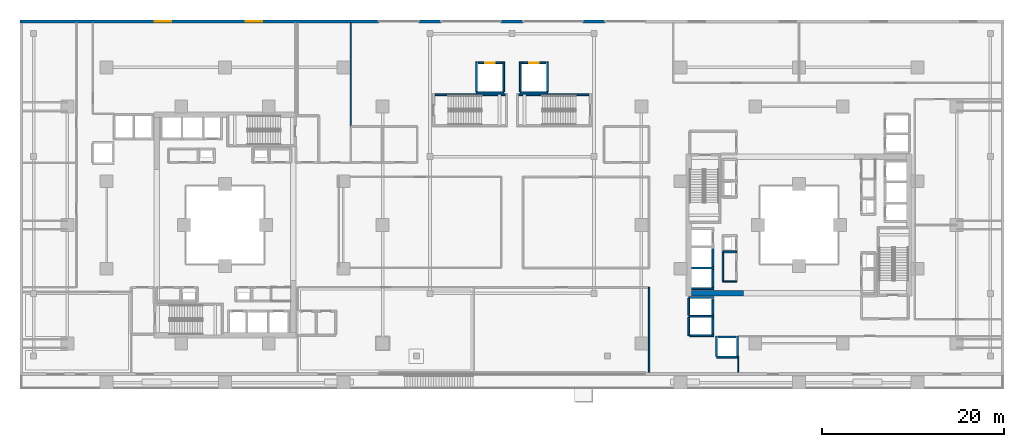
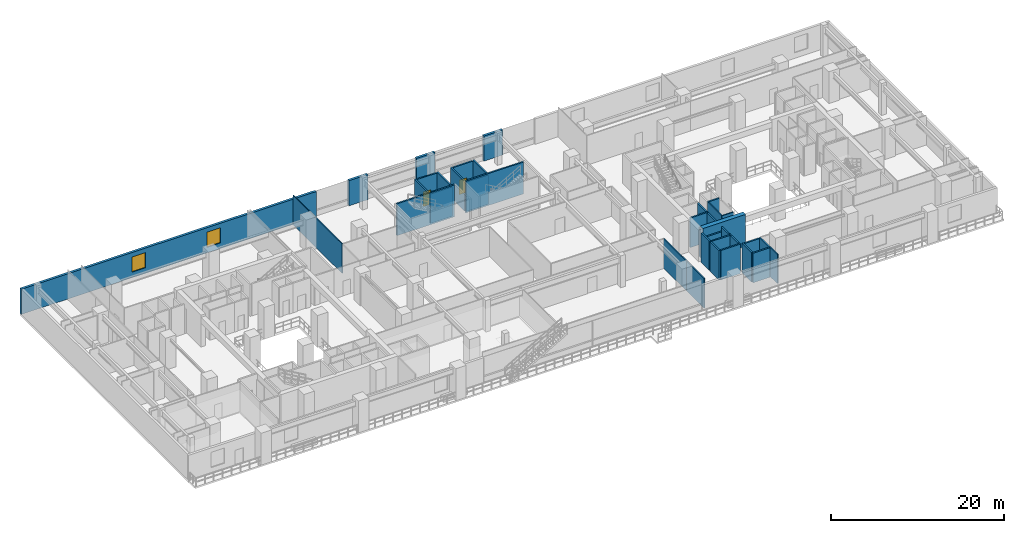
# One storey, part 14 of 22: 37 walls, 2 doors, 2 windows, 4 openings.
"""IFC4 building model written with IfcOpenShell, lengths in metres."""

import ifcopenshell
import ifcopenshell.guid

model = None  # the IFC model being written
_history = None  # IfcOwnerHistory: only IFC2X3 demands one
_inside = {}  # id of a spatial element -> (the spatial element, [elements in it])
_under = {}  # id of a project, library or spatial element -> (it, [spatial elements below it])
_declared = {}  # id of a project -> (the project, [libraries it declares])
_typed = {}  # id of a type object -> (the type object, [elements of that type])
_made_of = {}  # id of a material, layer set ... -> (it, [elements and type objects made of it])


def new_model(schema):
    """Start an empty IFC model of exactly this schema.

    Asked for "IFC4X3", IfcOpenShell would pick the latest addendum, in which some entities
    have other attributes; the version numbers below select the first issue.
    IFC2X3 requires an IfcOwnerHistory on every rooted entity: one is made here for all.
    """
    global model, _history
    if schema == "IFC4X3":
        model = ifcopenshell.file(schema_version=(4, 3, 0, 0))
    else:
        model = ifcopenshell.file(schema=schema)
    _inside.clear()
    _under.clear()
    _declared.clear()
    _typed.clear()
    _made_of.clear()
    _history = None
    if model.schema == "IFC2X3":
        org = make("IfcOrganization", Name="unknown")
        user = make(
            "IfcPersonAndOrganization",
            ThePerson=make("IfcPerson", FamilyName="unknown"),
            TheOrganization=org,
        )
        app = make(
            "IfcApplication",
            ApplicationDeveloper=org,
            Version="unknown",
            ApplicationFullName="unknown",
            ApplicationIdentifier="unknown",
        )
        _history = make(
            "IfcOwnerHistory",
            OwningUser=user,
            OwningApplication=app,
            ChangeAction="ADDED",
            CreationDate=0,
        )
    return model


def make(cls, **values):
    """One entity of the class cls with the attributes given. An attribute that is None is left unset."""
    return model.create_entity(
        cls, **{name: value for name, value in values.items() if value is not None}
    )


def rooted(cls, **values):
    """An entity with a GlobalId (a new one), such as an element, a storey or a relation."""
    return make(cls, GlobalId=ifcopenshell.guid.new(), OwnerHistory=_history, **values)


def si_unit(unit_type, name, prefix=None):
    """IfcSIUnit, for example si_unit("LENGTHUNIT", "METRE", prefix="MILLI")."""
    return make("IfcSIUnit", UnitType=unit_type, Prefix=prefix, Name=name)


def assignment(units):
    """IfcUnitAssignment: the units of a project."""
    return None if units is None else make("IfcUnitAssignment", Units=units)


def point(xyz):
    """IfcCartesianPoint."""
    return None if xyz is None else make("IfcCartesianPoint", Coordinates=xyz)


def direction(xyz):
    """IfcDirection."""
    return None if xyz is None else make("IfcDirection", DirectionRatios=xyz)


def frame(location, z_axis=None, x_axis=None):
    """IfcAxis2Placement3D, a coordinate frame: its origin and axes. An axis left out is left unset."""
    return make(
        "IfcAxis2Placement3D",
        Location=point(location),
        Axis=direction(z_axis),
        RefDirection=direction(x_axis),
    )


def frame_2d(location, x_axis=None):
    """IfcAxis2Placement2D, a coordinate frame in the plane: its origin and x axis."""
    return make(
        "IfcAxis2Placement2D", Location=point(location), RefDirection=direction(x_axis)
    )


def origin():
    """The frame at (0, 0, 0) with its axes left unset."""
    return frame((0.0, 0.0, 0.0))


def place(relative_to, where):
    """IfcLocalPlacement: puts the frame where relative to a parent placement (None: the world)."""
    return make(
        "IfcLocalPlacement", PlacementRelTo=relative_to, RelativePlacement=where
    )


def context(
    kind, dimensions, precision=None, world=None, true_north=None, identifier=None
):
    """IfcGeometricRepresentationContext, for example the 3D "Model" context."""
    return make(
        "IfcGeometricRepresentationContext",
        ContextIdentifier=identifier,
        ContextType=kind,
        CoordinateSpaceDimension=dimensions,
        Precision=precision,
        WorldCoordinateSystem=world,
        TrueNorth=true_north,
    )


def subcontext(parent, identifier, kind, view, scale=None):
    """IfcGeometricRepresentationSubContext, for example "Body" below "Model"."""
    return make(
        "IfcGeometricRepresentationSubContext",
        ContextIdentifier=identifier,
        ContextType=kind,
        ParentContext=parent,
        TargetScale=scale,
        TargetView=view,
    )


def project(units=None, contexts=None):
    """IfcProject with its units and contexts."""
    return rooted(
        "IfcProject",
        Name="project",
        RepresentationContexts=contexts,
        UnitsInContext=assignment(units),
    )


def spatial(cls, under=None, at=None, **own):
    """A site, building, storey or space (cls), placed at a placement, below another one or the project."""
    s = rooted(cls, ObjectPlacement=at, **own)
    if under is not None:
        _under.setdefault(under.id(), (under, []))[1].append(s)
    return s


def profile(cls, at=None, kind="AREA", **sizes):
    """A parametric profile (cls). Its sizes go by their IFC names, for example OverallWidth=200.0."""
    return make(cls, ProfileType=kind, Position=at, **sizes)


def rectangle(**sizes):
    """IfcRectangleProfileDef."""
    return profile("IfcRectangleProfileDef", **sizes)


def extrude(swept, where, along, depth):
    """IfcExtrudedAreaSolid: the profile swept, set in the frame where, extruded along a direction by depth."""
    return make(
        "IfcExtrudedAreaSolid",
        SweptArea=swept,
        Position=where,
        ExtrudedDirection=direction(along),
        Depth=depth,
    )


def shape(context_of_items, identifier, shape_type, items):
    """IfcShapeRepresentation: the items that make up one representation, for example the "Body"."""
    return make(
        "IfcShapeRepresentation",
        ContextOfItems=context_of_items,
        RepresentationIdentifier=identifier,
        RepresentationType=shape_type,
        Items=items,
    )


def material(Name=None, Category=None):
    """IfcMaterial."""
    return make("IfcMaterial", Name=Name, Category=Category)


def layer(
    of_material, thickness, ventilated=None, Name=None, Category=None, Priority=None
):
    """IfcMaterialLayer: one layer of a wall or slab, of a material (None: an air gap)."""
    return make(
        "IfcMaterialLayer",
        Material=of_material,
        LayerThickness=thickness,
        IsVentilated=ventilated,
        Name=Name,
        Category=Category,
        Priority=Priority,
    )


def layer_set(layers, Name=None):
    """IfcMaterialLayerSet."""
    return make("IfcMaterialLayerSet", MaterialLayers=layers, LayerSetName=Name)


def made_of(thing, what):
    """Note that an element or type object is made of a material, layer set ...; save() writes the relation."""
    if what is not None:
        _made_of.setdefault(what.id(), (what, []))[1].append(thing)
    return thing


def type_object(cls, material=None, **own):
    """A type object (cls), such as IfcWallType, which elements share."""
    return made_of(rooted(cls, **own), material)


def element(
    cls,
    number,
    at=None,
    inside=None,
    cuts=None,
    type_object=None,
    material=None,
    context=None,
    identifier="Body",
    shape_type=None,
    held_by="IfcProductDefinitionShape",
    body=None,
    shapes=None,
    **own,
):
    """One element of the class cls, such as IfcWall. Its Tag is "e" and its number.

    at: its placement. inside: the storey or other place that contains it. cuts: it is an
    opening in that element (IfcRelVoidsElement). A single representation is given by context,
    identifier, shape_type and body (its items); several are given by shapes. held_by: the class
    of the entity that holds the representations. save() writes the other relations.
    """
    e = rooted(cls, Tag="e%d" % number, ObjectPlacement=at, **own)
    if body is not None:
        shapes = [shape(context, identifier, shape_type, body)]
    if shapes is not None:
        e.Representation = make(held_by, Representations=shapes)
    if inside is not None:
        _inside.setdefault(inside.id(), (inside, []))[1].append(e)
    if cuts is not None:
        rooted(
            "IfcRelVoidsElement", RelatingBuildingElement=cuts, RelatedOpeningElement=e
        )
    if type_object is not None:
        _typed.setdefault(type_object.id(), (type_object, []))[1].append(e)
    return made_of(e, material)


def fill(opening, filler):
    """IfcRelFillsElement: the door or window that sits in an opening."""
    return rooted(
        "IfcRelFillsElement",
        RelatingOpeningElement=opening,
        RelatedBuildingElement=filler,
    )


def aggregate(whole, parts):
    """IfcRelAggregates: a whole, such as a stair, and the parts it consists of."""
    return rooted("IfcRelAggregates", RelatingObject=whole, RelatedObjects=parts)


def save(model, path):
    """Write the relations noted so far, then the file.

    IfcRelAggregates (storeys below a building ...), IfcRelContainedInSpatialStructure (elements
    in a storey), IfcRelDefinesByType, IfcRelAssociatesMaterial and IfcRelDeclares: one each for
    every whole, place, type object, material and project.
    """
    for whole, parts in _under.values():
        aggregate(whole, parts)
    for where, things in _inside.values():
        rooted(
            "IfcRelContainedInSpatialStructure",
            RelatedElements=things,
            RelatingStructure=where,
        )
    for kind, things in _typed.values():
        rooted("IfcRelDefinesByType", RelatedObjects=things, RelatingType=kind)
    for what, things in _made_of.values():
        rooted("IfcRelAssociatesMaterial", RelatedObjects=things, RelatingMaterial=what)
    for by, libraries in _declared.values():
        rooted("IfcRelDeclares", RelatingContext=by, RelatedDefinitions=libraries)
    model.write(path)


model = new_model("IFC4")

# Units and contexts
model_context = context("Model", 3, precision=1e-05, world=origin(), true_north=direction((0.0, 1.0)))
body_context = subcontext(model_context, "Body", "Model", "MODEL_VIEW")
ifc_project = project(units=[si_unit("LENGTHUNIT", "METRE"), si_unit("AREAUNIT", "SQUARE_METRE"), si_unit("VOLUMEUNIT", "CUBIC_METRE"), si_unit("PLANEANGLEUNIT", "RADIAN"), si_unit("MASSUNIT", "GRAM", prefix="KILO")], contexts=[model_context])

# Site, building, storey
site_placement = place(None, origin())
site = spatial("IfcSite", under=ifc_project, at=site_placement, CompositionType="ELEMENT")
building_placement = place(site_placement, origin())
building = spatial("IfcBuilding", under=site, at=building_placement, Name="Thornwick Lancets Civic Towers", CompositionType="ELEMENT")
storey_placement = place(building_placement, frame((0.0, 0.0, 18.60009765625)))
storey = spatial("IfcBuildingStorey", under=building, at=storey_placement, Name="L04", CompositionType="ELEMENT", Elevation=18.60009765625)

# Walls
ifc_material_1 = material(Name="Concrete blockwork C40/50", Category="masonry")
ifc_layer_1 = layer(ifc_material_1, 0.199951171875, Name="Concrete blockwork C40/50")
ifc_layer_set_1 = layer_set([ifc_layer_1], Name="Concrete blockwork C40/50")
wall_type_1 = type_object("IfcWallType", Name="WALL_COMP_200", PredefinedType="STANDARD", material=ifc_layer_set_1)
wall_1_placement = place(storey_placement, frame((79.050048828125, 22.429931640625, 0.0), z_axis=(0.0, 0.0, 1.0), x_axis=(0.0, 1.0, 0.0)))
element("IfcWall", 1, at=wall_1_placement, inside=storey, type_object=wall_type_1, Name="L04 Hoistway Front Wall PL-BH2", PredefinedType="STANDARD", context=body_context, shape_type="SweptSolid", body=[
    extrude(rectangle(XDim=1.989990234375, YDim=0.199951171875, at=frame_2d((0.9951171875, 0.0))), origin(), (0.0, 0.0, 1.0), 4.159912109375),
])
wall_2_placement = place(storey_placement, frame((79.050048828125, 20.179931640625, 0.0), z_axis=(0.0, 0.0, 1.0), x_axis=(0.0, 1.0, 0.0)))
element("IfcWall", 2, at=wall_2_placement, inside=storey, type_object=wall_type_1, Name="L04 Hoistway Front Wall PL-BH3", PredefinedType="STANDARD", context=body_context, shape_type="SweptSolid", body=[
    extrude(rectangle(XDim=1.940185546875, YDim=0.199951171875, at=frame_2d((0.97021484375, 0.0))), origin(), (0.0, 0.0, 1.0), 4.159912109375),
])
wall_3_placement = place(storey_placement, frame((79.050048828125, 17.1298828125, 0.0), z_axis=(0.0, 0.0, 1.0), x_axis=(0.0, 1.0, 0.0)))
element("IfcWall", 3, at=wall_3_placement, inside=storey, type_object=wall_type_1, Name="L04 Hoistway Front Wall PL-BM1", PredefinedType="STANDARD", context=body_context, shape_type="SweptSolid", body=[
    extrude(rectangle(XDim=1.740234375, YDim=0.199951171875, at=frame_2d((0.8701171875, 0.0))), origin(), (0.0, 0.0, 1.0), 4.159912109375),
])
wall_4_placement = place(storey_placement, frame((79.050048828125, 15.030029296875, 0.0), z_axis=(0.0, 0.0, 1.0), x_axis=(0.0, 1.0, 0.0)))
element("IfcWall", 4, at=wall_4_placement, inside=storey, type_object=wall_type_1, Name="L04 Hoistway Front Wall PL-BM2", PredefinedType="STANDARD", context=body_context, shape_type="SweptSolid", body=[
    extrude(rectangle(XDim=1.7900390625, YDim=0.199951171875, at=frame_2d((0.89501953125, 0.0))), origin(), (0.0, 0.0, 1.0), 4.159912109375),
])
wall_5_placement = place(storey_placement, frame((79.6298828125, 14.699951171875, 0.0), z_axis=(0.0, 0.0, 1.0), x_axis=(1.0, 0.0, 0.0)))
element("IfcWall", 5, at=wall_5_placement, inside=storey, type_object=wall_type_1, Name="L04 Hoistway Front Wall PL-BM3", PredefinedType="STANDARD", context=body_context, shape_type="SweptSolid", body=[
    extrude(rectangle(XDim=1.940185546875, YDim=0.199951171875, at=frame_2d((0.97021484375, 0.0))), origin(), (0.0, 0.0, 1.0), 4.159912109375),
])

# Wall, opening, door
wall_6_placement = place(storey_placement, frame((53.280029296875, 44.800048828125, 0.0), z_axis=(0.0, 0.0, 1.0), x_axis=(1.0, 0.0, 0.0)))
wall_6 = element("IfcWall", 6, at=wall_6_placement, inside=storey, type_object=wall_type_1, Name="L04 Hoistway Front Wall GL-P1", PredefinedType="STANDARD", context=body_context, shape_type="SweptSolid", body=[
    extrude(rectangle(XDim=2.639892578125, YDim=0.199951171875, at=frame_2d((1.31982421875, 0.0))), origin(), (0.0, 0.0, 1.0), 4.159912109375),
])
opening_1_placement = place(wall_6_placement, frame((0.81005859375, 0.0, 0.0)))
opening_1 = element("IfcOpeningElement", 7, at=opening_1_placement, cuts=wall_6, Name="Opening LD-GL-P1", PredefinedType="OPENING", context=body_context, shape_type="SweptSolid", body=[
    extrude(rectangle(XDim=1.02001953125, YDim=2.06005859375, at=frame_2d((0.510009765625, 1.030029296875))), frame((0.0, 0.10986328125, 0.0), z_axis=(0.0, -1.0, 0.0), x_axis=(1.0, 0.0, 0.0)), (0.0, 0.0, 1.0), 0.219970703125),
])
ifc_material_2 = material(Name="Brushed bronze stainless steel", Category="steel")
door_type = type_object("IfcDoorType", Name="DOOR_LIFT_SLIDE", OperationType="SLIDING_TO_LEFT", PredefinedType="DOOR", material=ifc_material_2)
door_1_placement = place(opening_1_placement, origin())
door_1 = element("IfcDoor", 8, at=door_1_placement, inside=storey, type_object=door_type, Name="L04 Sliding Lift Landing Door LD-GL-P1", OperationType="SLIDING_TO_LEFT", OverallHeight=2.06005859375, OverallWidth=1.02001953125, PredefinedType="DOOR", context=body_context, shape_type="SweptSolid", body=[
    extrude(rectangle(XDim=1.02001953125, YDim=2.06005859375, at=frame_2d((0.510009765625, 1.030029296875))), frame((0.0, 0.02490234375, 0.0), z_axis=(0.0, -1.0, 0.0), x_axis=(1.0, 0.0, 0.0)), (0.0, 0.0, 1.0), 0.050048828125),
])
fill(opening_1, door_1)

wall_7_placement = place(storey_placement, frame((58.080078125, 44.800048828125, 0.0), z_axis=(0.0, 0.0, 1.0), x_axis=(1.0, 0.0, 0.0)))
wall_7 = element("IfcWall", 9, at=wall_7_placement, inside=storey, type_object=wall_type_1, Name="L04 Hoistway Front Wall GL-P2", PredefinedType="STANDARD", context=body_context, shape_type="SweptSolid", body=[
    extrude(rectangle(XDim=2.639892578125, YDim=0.199951171875, at=frame_2d((1.31982421875, 0.0))), origin(), (0.0, 0.0, 1.0), 4.159912109375),
])
opening_2_placement = place(wall_7_placement, frame((0.81005859375, 0.0, 0.0)))
opening_2 = element("IfcOpeningElement", 10, at=opening_2_placement, cuts=wall_7, Name="Opening LD-GL-P2", PredefinedType="OPENING", context=body_context, shape_type="SweptSolid", body=[
    extrude(rectangle(XDim=1.02001953125, YDim=2.06005859375, at=frame_2d((0.510009765625, 1.030029296875))), frame((0.0, 0.10986328125, 0.0), z_axis=(0.0, -1.0, 0.0), x_axis=(1.0, 0.0, 0.0)), (0.0, 0.0, 1.0), 0.219970703125),
])
door_2_placement = place(opening_2_placement, origin())
door_2 = element("IfcDoor", 11, at=door_2_placement, inside=storey, type_object=door_type, Name="L04 Sliding Lift Landing Door LD-GL-P2", OperationType="SLIDING_TO_LEFT", OverallHeight=2.06005859375, OverallWidth=1.02001953125, PredefinedType="DOOR", context=body_context, shape_type="SweptSolid", body=[
    extrude(rectangle(XDim=1.02001953125, YDim=2.06005859375, at=frame_2d((0.510009765625, 1.030029296875))), frame((0.0, 0.02490234375, 0.0), z_axis=(0.0, -1.0, 0.0), x_axis=(1.0, 0.0, 0.0)), (0.0, 0.0, 1.0), 0.050048828125),
])
fill(opening_2, door_2)

# Walls
for number, where, z_axis, x_axis, name in (
    (12, (76.7119140625, 22.27490234375, 0.0), (0.0, 0.0, 1.0), (1.0, 0.0, 0.0), "L04 Hoistway Shaft Wall PL-BH2 S"),
    (13, (76.7119140625, 20.0, 0.0), (0.0, 0.0, 1.0), (1.0, 0.0, 0.0), "L04 Hoistway Shaft Wall PL-BH3 S"),
):
    element("IfcWall", number, at=place(storey_placement, frame(where, z_axis=z_axis, x_axis=x_axis)), inside=storey, type_object=wall_type_1, Name=name, PredefinedType="STANDARD", context=body_context, shape_type="SweptSolid", body=[
        extrude(rectangle(XDim=2.43603515625, YDim=0.199951171875, at=frame_2d((1.218017578125, 0.0))), origin(), (0.0, 0.0, 1.0), 4.159912109375),
    ])
wall_8_placement = place(storey_placement, frame((76.402099609375, 19.050048828125, 0.0), z_axis=(0.0, 0.0, 1.0), x_axis=(1.0, 0.0, 0.0)))
element("IfcWall", 14, at=wall_8_placement, inside=storey, type_object=wall_type_1, Name="L04 Hoistway Shaft Wall PL-BM1 N", PredefinedType="STANDARD", context=body_context, shape_type="SweptSolid", body=[
    extrude(rectangle(XDim=2.745849609375, YDim=0.199951171875, at=frame_2d((1.373046875, 0.0))), origin(), (0.0, 0.0, 1.0), 3.364990234375),
])
wall_9_placement = place(storey_placement, frame((76.402099609375, 16.97509765625, 0.0), z_axis=(0.0, 0.0, 1.0), x_axis=(1.0, 0.0, 0.0)))
element("IfcWall", 15, at=wall_9_placement, inside=storey, type_object=wall_type_1, Name="L04 Hoistway Shaft Wall PL-BM1 S", PredefinedType="STANDARD", context=body_context, shape_type="SweptSolid", body=[
    extrude(rectangle(XDim=2.745849609375, YDim=0.199951171875, at=frame_2d((1.373046875, 0.0))), origin(), (0.0, 0.0, 1.0), 4.159912109375),
])
wall_10_placement = place(storey_placement, frame((76.39990234375, 14.85205078125, 0.0), z_axis=(0.0, 0.0, 1.0), x_axis=(0.0, 1.0, 0.0)))
element("IfcWall", 16, at=wall_10_placement, inside=storey, type_object=wall_type_1, Name="L04 Hoistway Shaft Wall PL-BM1 W", PredefinedType="STANDARD", context=body_context, shape_type="SweptSolid", body=[
    extrude(rectangle(XDim=2.015869140625, YDim=0.199951171875, at=frame_2d((1.0078125, 0.0))), origin(), (0.0, 0.0, 1.0), 4.159912109375),
])
wall_11_placement = place(storey_placement, frame((76.39990234375, 17.08203125, 0.0), z_axis=(0.0, 0.0, 1.0), x_axis=(0.0, 1.0, 0.0)))
element("IfcWall", 17, at=wall_11_placement, inside=storey, type_object=wall_type_1, Name="L04 Hoistway Shaft Wall PL-BM1 W", PredefinedType="STANDARD", context=body_context, shape_type="SweptSolid", body=[
    extrude(rectangle(XDim=1.85595703125, YDim=0.199951171875, at=frame_2d((0.927978515625, 0.0))), origin(), (0.0, 0.0, 1.0), 4.159912109375),
])
wall_12_placement = place(storey_placement, frame((76.511962890625, 14.85009765625, 0.0), z_axis=(0.0, 0.0, 1.0), x_axis=(1.0, 0.0, 0.0)))
element("IfcWall", 18, at=wall_12_placement, inside=storey, type_object=wall_type_1, Name="L04 Hoistway Shaft Wall PL-BM2 S", PredefinedType="STANDARD", context=body_context, shape_type="SweptSolid", body=[
    extrude(rectangle(XDim=2.635986328125, YDim=0.199951171875, at=frame_2d((1.31787109375, 0.0))), origin(), (0.0, 0.0, 1.0), 4.159912109375),
])
wall_13_placement = place(storey_placement, frame((79.451904296875, 12.5, 0.0), z_axis=(0.0, 0.0, 1.0), x_axis=(1.0, 0.0, 0.0)))
element("IfcWall", 19, at=wall_13_placement, inside=storey, type_object=wall_type_1, Name="L04 Hoistway Shaft Wall PL-BM3 S", PredefinedType="STANDARD", context=body_context, shape_type="SweptSolid", body=[
    extrude(rectangle(XDim=2.296142578125, YDim=0.199951171875, at=frame_2d((1.14794921875, 0.0))), origin(), (0.0, 0.0, 1.0), 4.159912109375),
])
for number, where, z_axis, x_axis, name in (
    (20, (81.75, 12.612060546875, 0.0), (0.0, 0.0, 1.0), (0.0, 1.0, 0.0), "L04 Hoistway Shaft Wall PL-BM3 E"),
    (21, (79.449951171875, 12.612060546875, 0.0), (0.0, 0.0, 1.0), (0.0, 1.0, 0.0), "L04 Hoistway Shaft Wall PL-BM3 W"),
):
    element("IfcWall", number, at=place(storey_placement, frame(where, z_axis=z_axis, x_axis=x_axis)), inside=storey, type_object=wall_type_1, Name=name, PredefinedType="STANDARD", context=body_context, shape_type="SweptSolid", body=[
        extrude(rectangle(XDim=2.18603515625, YDim=0.199951171875, at=frame_2d((1.093017578125, 0.0))), origin(), (0.0, 0.0, 1.0), 4.159912109375),
    ])
wall_14_placement = place(storey_placement, frame((53.10205078125, 41.5, 0.0), z_axis=(0.0, 0.0, 1.0), x_axis=(1.0, 0.0, 0.0)))
element("IfcWall", 22, at=wall_14_placement, inside=storey, type_object=wall_type_1, Name="L04 Hoistway Shaft Wall GL-P1 S", PredefinedType="STANDARD", context=body_context, shape_type="SweptSolid", body=[
    extrude(rectangle(XDim=2.995849609375, YDim=0.199951171875, at=frame_2d((1.498046875, 0.0))), origin(), (0.0, 0.0, 1.0), 4.159912109375),
])
for number, where, z_axis, x_axis, name in (
    (23, (56.10009765625, 41.612060546875, 0.0), (0.0, 0.0, 1.0), (0.0, 1.0, 0.0), "L04 Hoistway Shaft Wall GL-P1 E"),
    (24, (53.10009765625, 41.612060546875, 0.0), (0.0, 0.0, 1.0), (0.0, 1.0, 0.0), "L04 Hoistway Shaft Wall GL-P1 W"),
):
    element("IfcWall", number, at=place(storey_placement, frame(where, z_axis=z_axis, x_axis=x_axis)), inside=storey, type_object=wall_type_1, Name=name, PredefinedType="STANDARD", context=body_context, shape_type="SweptSolid", body=[
        extrude(rectangle(XDim=3.285888671875, YDim=0.199951171875, at=frame_2d((1.64306640625, 0.0))), origin(), (0.0, 0.0, 1.0), 4.159912109375),
    ])
wall_15_placement = place(storey_placement, frame((57.902099609375, 41.5, 0.0), z_axis=(0.0, 0.0, 1.0), x_axis=(1.0, 0.0, 0.0)))
element("IfcWall", 25, at=wall_15_placement, inside=storey, type_object=wall_type_1, Name="L04 Hoistway Shaft Wall GL-P2 S", PredefinedType="STANDARD", context=body_context, shape_type="SweptSolid", body=[
    extrude(rectangle(XDim=2.995849609375, YDim=0.199951171875, at=frame_2d((1.498046875, 0.0))), origin(), (0.0, 0.0, 1.0), 4.159912109375),
])
for number, where, z_axis, x_axis, name in (
    (26, (60.89990234375, 41.612060546875, 0.0), (0.0, 0.0, 1.0), (0.0, 1.0, 0.0), "L04 Hoistway Shaft Wall GL-P2 E"),
    (27, (57.89990234375, 41.612060546875, 0.0), (0.0, 0.0, 1.0), (0.0, 1.0, 0.0), "L04 Hoistway Shaft Wall GL-P2 W"),
):
    element("IfcWall", number, at=place(storey_placement, frame(where, z_axis=z_axis, x_axis=x_axis)), inside=storey, type_object=wall_type_1, Name=name, PredefinedType="STANDARD", context=body_context, shape_type="SweptSolid", body=[
        extrude(rectangle(XDim=3.285888671875, YDim=0.199951171875, at=frame_2d((1.64306640625, 0.0))), origin(), (0.0, 0.0, 1.0), 4.159912109375),
    ])
wall_16_placement = place(storey_placement, frame((80.14990234375, 24.050048828125, 0.0), z_axis=(0.0, 0.0, 1.0), x_axis=(1.0, 0.0, 0.0)))
element("IfcWall", 28, at=wall_16_placement, inside=storey, type_object=wall_type_1, Name="L04 Partition L04-B-DUCT2 E1", PredefinedType="STANDARD", context=body_context, shape_type="SweptSolid", body=[
    extrude(rectangle(XDim=1.5, YDim=0.199951171875, at=frame_2d((0.75, 0.0))), origin(), (0.0, 0.0, 1.0), 4.159912109375),
])
ifc_material_3 = material(Name="Concrete C60/75", Category="concrete")
ifc_layer_2 = layer(ifc_material_3, 0.60009765625, Name="Concrete C60/75")
ifc_layer_set_2 = layer_set([ifc_layer_2], Name="Concrete C60/75")
wall_type_2 = type_object("IfcWallType", Name="WALL_CORE_600", PredefinedType="SHEAR", material=ifc_layer_set_2)
wall_17_placement = place(storey_placement, frame((76.699951171875, 19.5, 0.0), z_axis=(0.0, 0.0, 1.0), x_axis=(1.0, 0.0, 0.0)))
element("IfcWall", 29, at=wall_17_placement, inside=storey, type_object=wall_type_2, Name="L04 Split Core B2 Shear Wall S", PredefinedType="SHEAR", context=body_context, shape_type="SweptSolid", body=[
    extrude(rectangle(XDim=5.699951171875, YDim=0.60009765625, at=frame_2d((2.85009765625, 0.0))), origin(), (0.0, 0.0, 1.0), 4.5),
])
ifc_material_4 = material(Name="Insulated buff terracotta rainscreen on concrete C40/50", Category="masonry")
ifc_layer_3 = layer(ifc_material_4, 0.320068359375, Name="Insulated buff terracotta rainscreen on concrete C40/50")
ifc_layer_set_3 = layer_set([ifc_layer_3], Name="Insulated buff terracotta rainscreen on concrete C40/50")
wall_type_3 = type_object("IfcWallType", Name="WALL_EXT_TERRA_320", PredefinedType="STANDARD", material=ifc_layer_set_3)
for number, where, z_axis, x_axis, name in (
    (30, (67.25, 49.340087890625, 0.0), (0.0, 0.0, 1.0), (-1.0, 0.0, 0.0), "L04 Podium North Facade Pier 1"),
    (31, (58.25, 49.340087890625, 0.0), (0.0, 0.0, 1.0), (-1.0, 0.0, 0.0), "L04 Podium North Facade Pier 2"),
    (32, (49.25, 49.340087890625, 0.0), (0.0, 0.0, 1.0), (-1.0, 0.0, 0.0), "L04 Podium North Facade Pier 3"),
):
    element("IfcWall", number, at=place(storey_placement, frame(where, z_axis=z_axis, x_axis=x_axis)), inside=storey, type_object=wall_type_3, Name=name, PredefinedType="STANDARD", context=body_context, shape_type="SweptSolid", body=[
        extrude(rectangle(XDim=2.5, YDim=0.320068359375, at=frame_2d((1.25, 0.0))), origin(), (0.0, 0.0, 1.0), 3.559814453125),
    ])

# Wall, openings, windows
wall_18_placement = place(storey_placement, frame((42.39990234375, 49.340087890625, 0.0), z_axis=(0.0, 0.0, 1.0), x_axis=(-1.0, 0.0, 0.0)))
wall_18 = element("IfcWall", 33, at=wall_18_placement, inside=storey, type_object=wall_type_3, Name="L04 Podium North-West Facade Wall", PredefinedType="STANDARD", context=body_context, shape_type="SweptSolid", body=[
    extrude(rectangle(XDim=39.39990234375, YDim=0.320068359375, at=frame_2d((19.699951171875, 0.0))), origin(), (0.0, 0.0, 1.0), 3.559814453125),
])
opening_3_placement = place(wall_18_placement, frame((12.800048828125, 0.0, 0.780029296875)))
opening_3 = element("IfcOpeningElement", 34, at=opening_3_placement, cuts=wall_18, Name="Opening WP-18", PredefinedType="OPENING", context=body_context, shape_type="SweptSolid", body=[
    extrude(rectangle(XDim=1.800048828125, YDim=2.14990234375, at=frame_2d((0.89990234375, 1.074951171875))), frame((0.0, 0.169921875, 0.0), z_axis=(0.0, -1.0, 0.0), x_axis=(1.0, 0.0, 0.0)), (0.0, 0.0, 1.0), 0.340087890625),
])
opening_4_placement = place(wall_18_placement, frame((22.800048828125, 0.0, 0.780029296875)))
opening_4 = element("IfcOpeningElement", 35, at=opening_4_placement, cuts=wall_18, Name="Opening WP-18", PredefinedType="OPENING", context=body_context, shape_type="SweptSolid", body=[
    extrude(rectangle(XDim=1.800048828125, YDim=2.14990234375, at=frame_2d((0.89990234375, 1.074951171875))), frame((0.0, 0.169921875, 0.0), z_axis=(0.0, -1.0, 0.0), x_axis=(1.0, 0.0, 0.0)), (0.0, 0.0, 1.0), 0.340087890625),
])
ifc_material_5 = material(Name="Pointed lancet clear glass window", Category="glass")
window_type = type_object("IfcWindowType", Name="WIN_PODIUM_1800", PartitioningType="SINGLE_PANEL", PredefinedType="WINDOW", material=ifc_material_5)
window_1_placement = place(opening_3_placement, origin())
window_1 = element("IfcWindow", 36, at=window_1_placement, inside=storey, type_object=window_type, Name="L04 Podium Lancet Window 2", OverallHeight=2.14990234375, OverallWidth=1.800048828125, PartitioningType="SINGLE_PANEL", PredefinedType="WINDOW", context=body_context, shape_type="SweptSolid", body=[
    extrude(rectangle(XDim=1.800048828125, YDim=2.14990234375, at=frame_2d((0.89990234375, 1.074951171875))), frame((0.0, 0.030029296875, 0.0), z_axis=(0.0, -1.0, 0.0), x_axis=(1.0, 0.0, 0.0)), (0.0, 0.0, 1.0), 0.06005859375),
])
fill(opening_3, window_1)
window_2_placement = place(opening_4_placement, origin())
window_2 = element("IfcWindow", 37, at=window_2_placement, inside=storey, type_object=window_type, Name="L04 Podium Lancet Window 3", OverallHeight=2.14990234375, OverallWidth=1.800048828125, PartitioningType="SINGLE_PANEL", PredefinedType="WINDOW", context=body_context, shape_type="SweptSolid", body=[
    extrude(rectangle(XDim=1.800048828125, YDim=2.14990234375, at=frame_2d((0.89990234375, 1.074951171875))), frame((0.0, 0.030029296875, 0.0), z_axis=(0.0, -1.0, 0.0), x_axis=(1.0, 0.0, 0.0)), (0.0, 0.0, 1.0), 0.06005859375),
])
fill(opening_4, window_2)

# Walls
ifc_material_6 = material(Name="Acoustic gypsum board partition")
ifc_layer_4 = layer(ifc_material_6, 0.1201171875, Name="Acoustic gypsum board partition")
ifc_layer_set_4 = layer_set([ifc_layer_4], Name="Acoustic gypsum board partition")
wall_type_4 = type_object("IfcWallType", Name="WALL_PART_120", PredefinedType="PARTITIONING", material=ifc_layer_set_4)
wall_19_placement = place(storey_placement, frame((39.300048828125, 49.179931640625, 0.0), z_axis=(0.0, 0.0, 1.0), x_axis=(0.0, -1.0, 0.0)))
element("IfcWall", 38, at=wall_19_placement, inside=storey, type_object=wall_type_4, Name="L04 Partition L04-LIB E2", PredefinedType="PARTITIONING", context=body_context, shape_type="SweptSolid", body=[
    extrude(rectangle(XDim=11.3798828125, YDim=0.1201171875, at=frame_2d((5.68994140625, 0.0))), origin(), (0.0, 0.0, 1.0), 4.159912109375),
])
wall_20_placement = place(storey_placement, frame((81.85009765625, 10.820068359375, 0.0), z_axis=(0.0, 0.0, 1.0), x_axis=(0.0, 1.0, 0.0)))
element("IfcWall", 39, at=wall_20_placement, inside=storey, type_object=wall_type_4, Name="L04 Partition L04-SSE E1", PredefinedType="PARTITIONING", context=body_context, shape_type="SweptSolid", body=[
    extrude(rectangle(XDim=1.7919921875, YDim=0.1201171875, at=frame_2d((0.89599609375, 0.0))), origin(), (0.0, 0.0, 1.0), 4.159912109375),
])
ifc_material_7 = material(Name="Twin-stud acoustic gypsum board")
ifc_layer_5 = layer(ifc_material_7, 0.14990234375, Name="Twin-stud acoustic gypsum board")
ifc_layer_set_5 = layer_set([ifc_layer_5], Name="Twin-stud acoustic gypsum board")
wall_type_5 = type_object("IfcWallType", Name="WALL_PART_150", PredefinedType="PARTITIONING", material=ifc_layer_set_5)
wall_21_placement = place(storey_placement, frame((81.64990234375, 20.800048828125, 0.0), z_axis=(0.0, 0.0, 1.0), x_axis=(-1.0, 0.0, 0.0)))
element("IfcWall", 40, at=wall_21_placement, inside=storey, type_object=wall_type_5, Name="L04 Partition L04-B-FWC E1", PredefinedType="PARTITIONING", context=body_context, shape_type="SweptSolid", body=[
    extrude(rectangle(XDim=1.5, YDim=0.14990234375, at=frame_2d((0.75, 0.0))), origin(), (0.0, 0.0, 1.0), 4.159912109375),
])
wall_22_placement = place(storey_placement, frame((80.14990234375, 20.800048828125, 0.0), z_axis=(0.0, 0.0, 1.0), x_axis=(0.0, 1.0, 0.0)))
element("IfcWall", 41, at=wall_22_placement, inside=storey, type_object=wall_type_5, Name="L04 Partition L04-B-FWC E2", PredefinedType="PARTITIONING", context=body_context, shape_type="SweptSolid", body=[
    extrude(rectangle(XDim=3.25, YDim=0.14990234375, at=frame_2d((1.625, 0.0))), origin(), (0.0, 0.0, 1.0), 4.159912109375),
])
wall_23_placement = place(storey_placement, frame((72.050048828125, 20.14990234375, 0.0), z_axis=(0.0, 0.0, 1.0), x_axis=(0.0, -1.0, 0.0)))
element("IfcWall", 42, at=wall_23_placement, inside=storey, type_object=wall_type_5, Name="L04 Partition L04-TRIB E2", PredefinedType="PARTITIONING", context=body_context, shape_type="SweptSolid", body=[
    extrude(rectangle(XDim=5.349853515625, YDim=0.14990234375, at=frame_2d((2.6748046875, 0.0))), origin(), (0.0, 0.0, 1.0), 4.159912109375),
])
wall_24_placement = place(storey_placement, frame((72.050048828125, 14.800048828125, 0.0), z_axis=(0.0, 0.0, 1.0), x_axis=(0.0, -1.0, 0.0)))
element("IfcWall", 43, at=wall_24_placement, inside=storey, type_object=wall_type_5, Name="L04 Partition L04-TRIB E3", PredefinedType="PARTITIONING", context=body_context, shape_type="SweptSolid", body=[
    extrude(rectangle(XDim=3.97998046875, YDim=0.14990234375, at=frame_2d((1.989990234375, 0.0))), origin(), (0.0, 0.0, 1.0), 4.159912109375),
])
ifc_material_8 = material(Name="Concrete C40/50", Category="concrete")
ifc_layer_6 = layer(ifc_material_8, 0.199951171875, Name="Concrete C40/50")
ifc_layer_set_6 = layer_set([ifc_layer_6], Name="Concrete C40/50")
wall_type_6 = type_object("IfcWallType", Name="WALL_SHAFT_200", PredefinedType="SHEAR", material=ifc_layer_set_6)
for number, where, z_axis, x_axis, name in (
    (44, (56.25, 41.297119140625, 0.0), (0.0, 0.0, 1.0), (-1.0, 0.0, 0.0), "L04 ST-P5 Fire Stair Core Wall RIGHT"),
    (45, (65.449951171875, 41.297119140625, 0.0), (0.0, 0.0, 1.0), (-1.0, 0.0, 0.0), "L04 ST-P6 Fire Stair Core Wall LEFT"),
):
    element("IfcWall", number, at=place(storey_placement, frame(where, z_axis=z_axis, x_axis=x_axis)), inside=storey, type_object=wall_type_6, Name=name, PredefinedType="SHEAR", context=body_context, shape_type="SweptSolid", body=[
        extrude(rectangle(XDim=7.699951171875, YDim=0.199951171875, at=frame_2d((3.85009765625, 0.0))), origin(), (0.0, 0.0, 1.0), 4.5),
    ])

save(model, "model.ifc")
